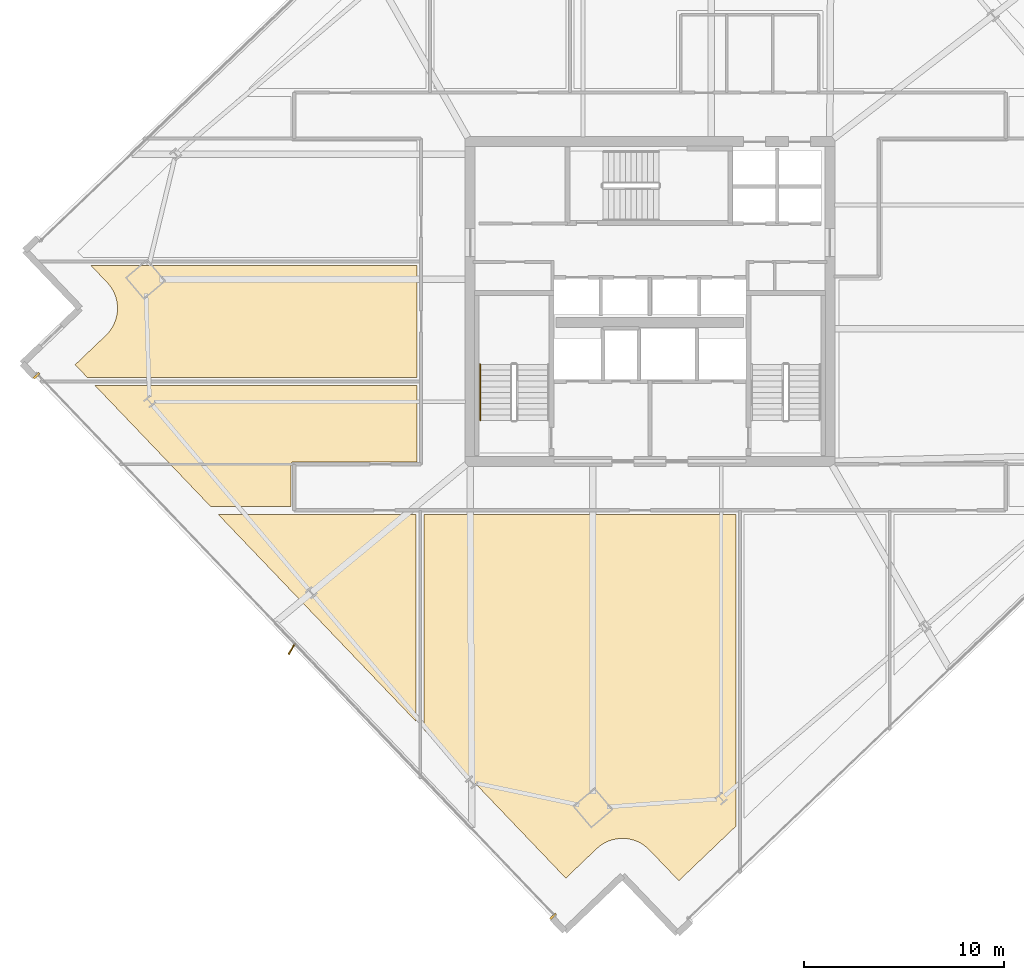
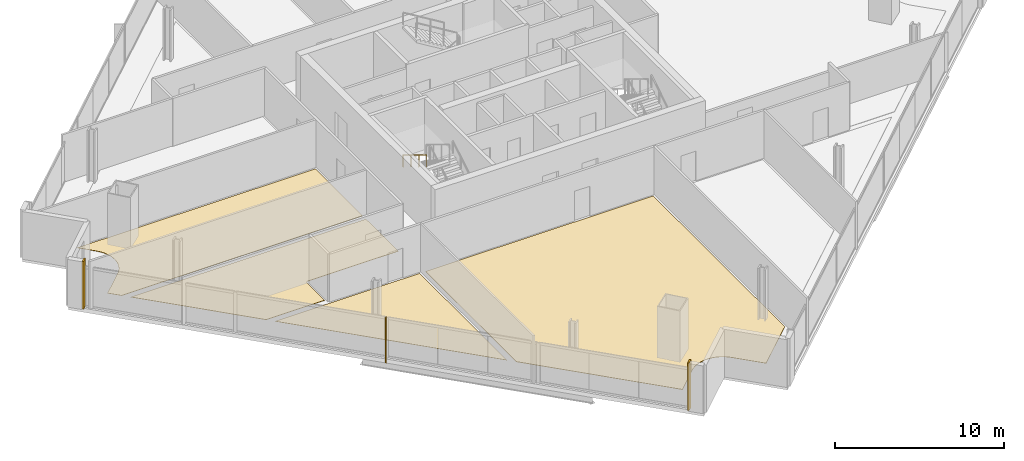
# One storey, part 29 of 33: 6 coverings, 1 railing, 1 shading device.
"""IFC4 building model written with IfcOpenShell, lengths in metres."""

from ifc_helpers import new_model, si_unit, direction, frame, origin, origin_2d, place, context, subcontext, project, spatial, polyline, rectangle, outline, extrude, source, transform, mapped, material, layer, layer_set, type_object, element, save


model = new_model("IFC4")

# Units and contexts
model_context = context("Model", 3, precision=1e-05, world=origin(), true_north=direction((0.0, 1.0)))
body_context = subcontext(model_context, "Body", "Model", "MODEL_VIEW")
ifc_project = project(units=[si_unit("LENGTHUNIT", "METRE"), si_unit("AREAUNIT", "SQUARE_METRE"), si_unit("VOLUMEUNIT", "CUBIC_METRE"), si_unit("PLANEANGLEUNIT", "RADIAN"), si_unit("MASSUNIT", "GRAM", prefix="KILO")], contexts=[model_context])

# Site, building, storey
site_placement = place(None, origin())
site = spatial("IfcSite", under=ifc_project, at=site_placement, CompositionType="ELEMENT")
building_placement = place(site_placement, origin())
building = spatial("IfcBuilding", under=site, at=building_placement, Name="Haldenkirk Collegiate Tower", CompositionType="ELEMENT")
storey_placement = place(building_placement, frame((0.0, 0.0, 174.449951171875)))
storey = spatial("IfcBuildingStorey", under=building, at=storey_placement, Name="L43", CompositionType="ELEMENT", Elevation=174.449951171875)

# Coverings
ifc_material_1 = material(Name="Polished collegiate terrazzo", Category="concrete")
ifc_layer_1 = layer(ifc_material_1, 0.02490234375)
ifc_layer_set_1 = layer_set([ifc_layer_1], Name="Polished collegiate terrazzo")
covering_type_1 = type_object("IfcCoveringType", Name="COV-FLOOR-TERRAZZO", PredefinedType="FLOORING", material=ifc_layer_set_1)
covering_1_placement = place(storey_placement, origin())
element("IfcCovering", 1, at=covering_1_placement, inside=storey, type_object=covering_type_1, Name="L43 academic room finish 02", PredefinedType="FLOORING", context=body_context, shape_type="SweptSolid", body=[
    extrude(outline(polyline([(35.3828125, -1.029296875), (35.3720703125, -1.0244140625), (35.2119140625, -0.962890625), (35.20068359375, -0.959228515625), (35.034912109375, -0.913818359375), (35.0234375, -0.9111328125), (34.854248046875, -0.882080078125), (34.842529296875, -0.880859375), (34.671142578125, -0.868408203125), (34.659423828125, -0.8681640625), (34.48779296875, -0.872802734375), (34.47607421875, -0.87353515625), (34.3056640625, -0.89501953125), (34.2939453125, -0.89697265625), (34.12646484375, -0.93505859375), (34.115234375, -0.93798828125), (33.952392578125, -0.9921875), (33.94140625, -0.99658203125), (33.784423828125, -1.06640625), (33.77392578125, -1.07177734375), (33.62451171875, -1.156494140625), (33.614501953125, -1.162841796875), (33.474365234375, -1.26220703125), (33.465087890625, -1.269287109375), (33.335205078125, -1.3818359375), (33.330810546875, -1.3857421875), (31.791015625, -2.857421875), (24.699951171875, 4.56298828125), (24.699951171875, 15.35009765625), (40.300048828125, 15.35009765625), (40.300048828125, -0.2587890625), (37.4462890625, -2.985595703125), (35.974853515625, -1.44580078125), (35.970703125, -1.441650390625), (35.84619140625, -1.323486328125), (35.837158203125, -1.31591796875), (35.701416015625, -1.21044921875), (35.69189453125, -1.20361328125), (35.546630859375, -1.112060546875), (35.53662109375, -1.106201171875), (35.3828125, -1.029296875)])), origin(), (0.0, 0.0, 1.0), 0.025146484375),
])
covering_2_placement = place(storey_placement, origin())
element("IfcCovering", 2, at=covering_2_placement, inside=storey, type_object=covering_type_1, Name="L43 academic room finish 08", PredefinedType="FLOORING", context=body_context, shape_type="SweptSolid", body=[
    extrude(outline(polyline([(18.14990234375, 17.969970703125), (18.13818359375, 17.969482421875), (18.126708984375, 17.9677734375), (18.115234375, 17.96484375), (18.10400390625, 17.9609375), (18.093505859375, 17.955810546875), (18.083251953125, 17.94970703125), (18.073974609375, 17.94287109375), (18.065185546875, 17.934814453125), (18.05712890625, 17.926025390625), (18.05029296875, 17.916748046875), (18.044189453125, 17.906494140625), (18.0390625, 17.89599609375), (18.03515625, 17.884765625), (18.0322265625, 17.873291015625), (18.030517578125, 17.86181640625), (18.030029296875, 17.85009765625), (18.030029296875, 15.75), (14.009521484375, 15.75), (8.22802734375, 21.800048828125), (24.35009765625, 21.800048828125), (24.35009765625, 17.969970703125), (18.14990234375, 17.969970703125)])), origin(), (0.0, 0.0, 1.0), 0.025146484375),
])
ifc_material_2 = material(Name="Engineered collegiate oak acoustic flooring", Category="wood")
ifc_layer_2 = layer(ifc_material_2, 0.02197265625)
ifc_layer_set_2 = layer_set([ifc_layer_2], Name="Engineered collegiate oak acoustic flooring")
covering_type_2 = type_object("IfcCoveringType", Name="COV-FLOOR-TIMBER", PredefinedType="FLOORING", material=ifc_layer_set_2)
covering_3_placement = place(storey_placement, origin())
element("IfcCovering", 3, at=covering_3_placement, inside=storey, type_object=covering_type_2, Name="L43 academic room finish 01", PredefinedType="FLOORING", context=body_context, shape_type="SweptSolid", body=[
    extrude(outline(polyline([(14.3916015625, 15.35009765625), (24.300048828125, 15.35009765625), (24.300048828125, 4.9814453125), (14.3916015625, 15.35009765625)])), origin(), (0.0, 0.0, 1.0), 0.02197265625),
])
covering_4_placement = place(storey_placement, origin())
element("IfcCovering", 4, at=covering_4_placement, inside=storey, type_object=covering_type_2, Name="L43 academic room finish 09", PredefinedType="FLOORING", context=body_context, shape_type="SweptSolid", body=[
    extrude(outline(polyline([(8.780517578125, 24.3046875), (8.78466796875, 24.30908203125), (8.90283203125, 24.43359375), (8.910400390625, 24.442626953125), (9.015869140625, 24.578125), (9.022705078125, 24.587890625), (9.1142578125, 24.73291015625), (9.1201171875, 24.7431640625), (9.197021484375, 24.896728515625), (9.20166015625, 24.90771484375), (9.26318359375, 25.06787109375), (9.266845703125, 25.0791015625), (9.3125, 25.24462890625), (9.31494140625, 25.256103515625), (9.343994140625, 25.425537109375), (9.345458984375, 25.437255859375), (9.357666015625, 25.6083984375), (9.35791015625, 25.6201171875), (9.353515625, 25.7919921875), (9.3525390625, 25.8037109375), (9.331298828125, 25.97412109375), (9.3291015625, 25.985595703125), (9.291259765625, 26.1533203125), (9.2880859375, 26.16455078125), (9.23388671875, 26.327392578125), (9.229736328125, 26.33837890625), (9.159912109375, 26.495361328125), (9.154541015625, 26.505859375), (9.069580078125, 26.655029296875), (9.063232421875, 26.6650390625), (8.964111328125, 26.805419921875), (8.956787109375, 26.814453125), (8.844482421875, 26.9443359375), (8.840576171875, 26.94873046875), (8.027099609375, 27.800048828125), (24.35009765625, 27.800048828125), (24.35009765625, 22.199951171875), (7.845703125, 22.199951171875), (7.240478515625, 22.833251953125), (8.780517578125, 24.3046875)])), origin(), (0.0, 0.0, 1.0), 0.02197265625),
])

# Railing
ifc_material_3 = material(Name="Painted architectural tubular steel", Category="steel")
railing_type = type_object("IfcRailingType", Name="RLG-STAIR-HANDRAIL-900", PredefinedType="HANDRAIL", material=ifc_material_3)
railing_placement = place(storey_placement, frame((27.5, 22.85009765625, 2.04541015625)))
element("IfcRailing", 5, at=railing_placement, inside=storey, type_object=railing_type, Name="L43 ST-1 stair handrail 2", PredefinedType="HANDRAIL", context=body_context, shape_type="SweptSolid", body=[
    extrude(rectangle(XDim=0.048095703125, YDim=0.048095703125, at=origin_2d()), frame((0.0, 0.0, 0.8759765625), z_axis=(0.0, -0.854169791009, 0.51999420009), x_axis=(1.0, 0.0, 0.0)), (0.0, 0.0, 1.0), 3.278076171875),
    extrude(rectangle(XDim=0.0419921875, YDim=0.0419921875, at=origin_2d()), origin(), (0.0, 0.0, 1.0), 0.851806640625),
    extrude(rectangle(XDim=0.0419921875, YDim=0.0419921875, at=origin_2d()), frame((0.0, -0.933349609375, 0.568115234375)), (0.0, 0.0, 1.0), 0.851806640625),
    extrude(rectangle(XDim=0.0419921875, YDim=0.0419921875, at=origin_2d()), frame((0.0, -1.86669921875, 1.136474609375)), (0.0, 0.0, 1.0), 0.851806640625),
    extrude(rectangle(XDim=0.0419921875, YDim=0.0419921875, at=origin_2d()), frame((0.0, -2.800048828125, 1.70458984375)), (0.0, 0.0, 1.0), 0.851806640625),
])

# Coverings
ifc_material_4 = material(Name="Anodised architectural bronze aluminium", Category="aluminium")
ifc_layer_3 = layer(ifc_material_4, 0.06005859375)
ifc_layer_set_3 = layer_set([ifc_layer_3], Name="Anodised architectural bronze aluminium")
covering_type_3 = type_object("IfcCoveringType", Name="COV-CLAD-BRONZE-60", PredefinedType="CLADDING", material=ifc_layer_set_3)
shared_shape_1 = source(origin(), body_context, "Body", "SweptSolid", [
    extrude(rectangle(XDim=0.10009765625, YDim=0.3798828125, at=origin_2d()), origin(), (0.0, 0.0, 1.0), 3.4599609375),
])
for number, where, z_axis, x_axis, name in (
    (6, (31.153564453125, -4.7666015625, 0.0), (0.0, 0.0, 1.0), (-0.690882411077, 0.72296714591, 0.0), "L43 recessed curtain-wall bronze jamb closure WJL"),
    (7, (5.30419921875, 22.283203125, 0.0), (0.0, 0.0, 1.0), (-0.690882411077, 0.72296714591, 0.0), "L43 recessed curtain-wall bronze jamb closure WJR"),
):
    element("IfcCovering", number, at=place(storey_placement, frame(where, z_axis=z_axis, x_axis=x_axis)), inside=storey, type_object=covering_type_3, Name=name, PredefinedType="CLADDING", context=body_context, shape_type="MappedRepresentation", body=[
        mapped(shared_shape_1, transform((0.0, 0.0, 0.0), x_axis=(1.0, 0.0, 0.0), y_axis=(0.0, 1.0, 0.0), z_axis=(0.0, 0.0, 1.0), scale=1.0)),
    ])

# Shading device
ifc_layer_4 = layer(ifc_material_4, 0.06494140625)
ifc_layer_set_4 = layer_set([ifc_layer_4], Name="Anodised architectural bronze aluminium")
shading_device_type = type_object("IfcShadingDeviceType", Name="SHD-FIN-BRONZE-620", PredefinedType="USERDEFINED", material=ifc_layer_set_4)
shared_shape_2 = source(origin(), body_context, "Body", "SweptSolid", [
    extrude(rectangle(XDim=0.6201171875, YDim=0.06494140625, at=origin_2d()), origin(), (0.0, 0.0, 1.0), 2.910888671875),
])
shading_device_placement = place(storey_placement, frame((18.08056640625, 8.61669921875, 0.0), z_axis=(0.0, 0.0, 1.0), x_axis=(-0.504527623815, -0.863395550607, 0.0)))
element("IfcShadingDevice", 8, at=shading_device_placement, inside=storey, type_object=shading_device_type, Name="L43 folded bronze solar fin 1", ObjectType="FIN", PredefinedType="USERDEFINED", context=body_context, shape_type="MappedRepresentation", body=[
    mapped(shared_shape_2, transform((0.0, 0.0, 0.0), x_axis=(1.0, 0.0, 0.0), y_axis=(0.0, 1.0, 0.0), z_axis=(0.0, 0.0, 1.0), scale=1.0)),
])

save(model, "model.ifc")
